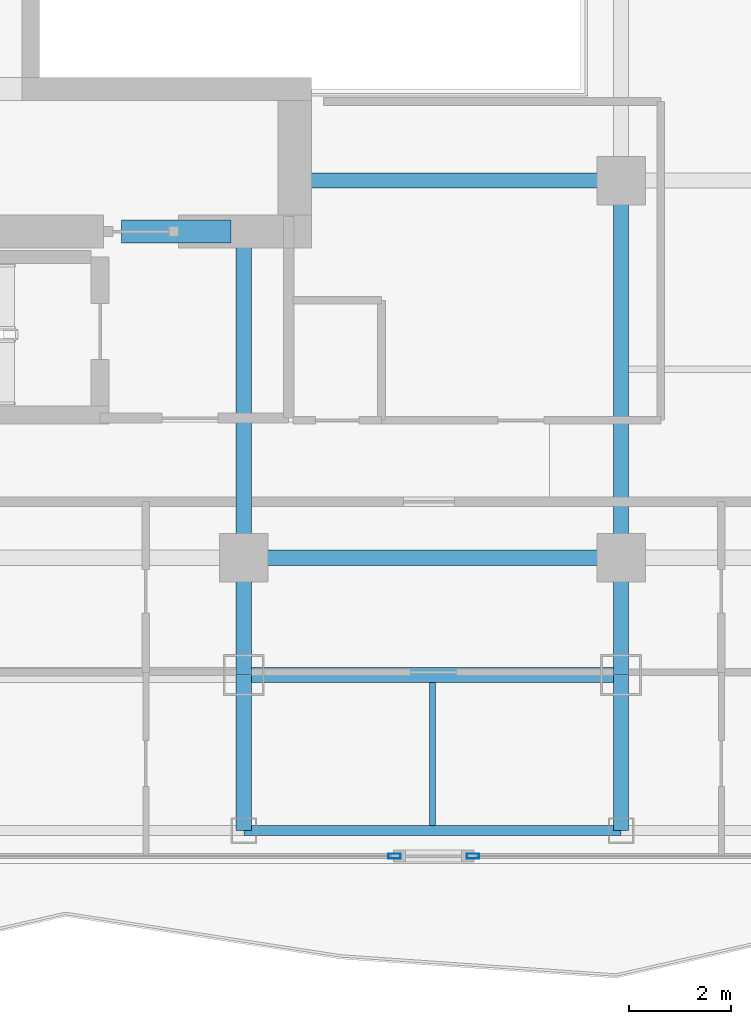
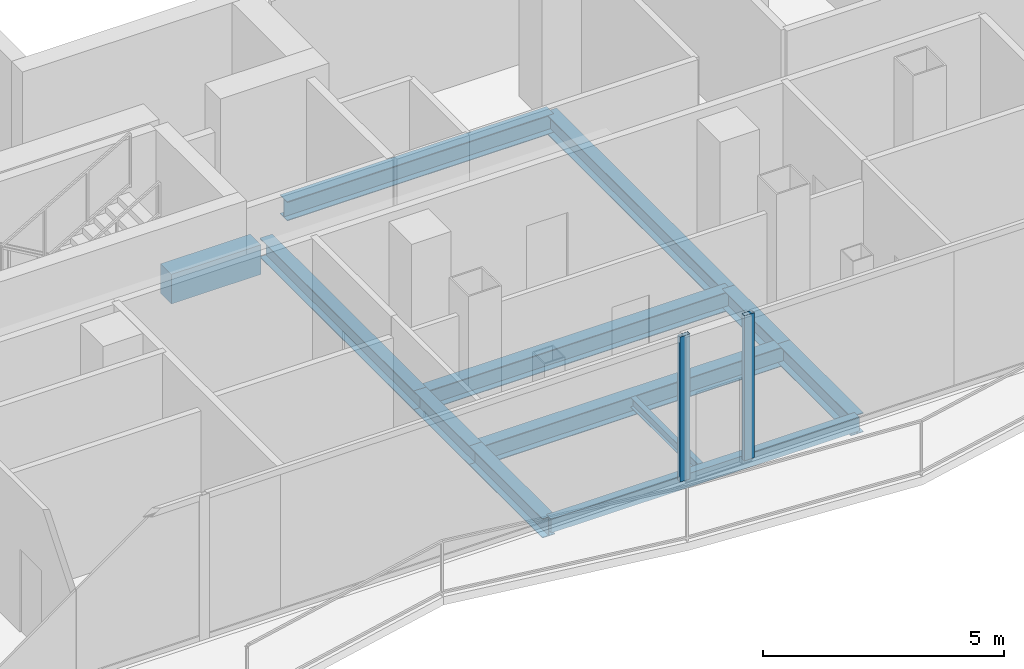
# One storey, part 4 of 22: 12 beams, 2 members, 2 elements without a shape of their own.
"""IFC4 building model written with IfcOpenShell, lengths in metres."""

from ifc_helpers import new_model, si_unit, direction, frame, origin, origin_2d, place, context, subcontext, project, spatial, rectangle, hollow_rectangle, i_section, extrude, material, layer, layer_set, material_profile, profile_set, type_object, element, aggregate, save


model = new_model("IFC4")

# Units and contexts
model_context = context("Model", 3, precision=1e-05, world=origin(), true_north=direction((0.0, 1.0)))
body_context = subcontext(model_context, "Body", "Model", "MODEL_VIEW")
ifc_project = project(units=[si_unit("LENGTHUNIT", "METRE"), si_unit("AREAUNIT", "SQUARE_METRE"), si_unit("VOLUMEUNIT", "CUBIC_METRE"), si_unit("PLANEANGLEUNIT", "RADIAN"), si_unit("MASSUNIT", "GRAM", prefix="KILO")], contexts=[model_context])

# Site, building, storey
site_placement = place(None, origin())
site = spatial("IfcSite", under=ifc_project, at=site_placement, CompositionType="ELEMENT")
building_placement = place(site_placement, origin())
building = spatial("IfcBuilding", under=site, at=building_placement, Name="Khorvyn Point Tower", CompositionType="ELEMENT")
storey_placement = place(building_placement, frame((0.0, 0.0, 278.10009765625)))
storey = spatial("IfcBuildingStorey", under=building, at=storey_placement, Name="L68", CompositionType="ELEMENT", Elevation=278.10009765625)

# Curtain wall, member
ifc_material_1 = material(Name="Anodised aluminium 6063-T6 and laminated Low-E glass", Category="aluminium")
ifc_layer = layer(ifc_material_1, 0.18994140625)
ifc_layer_set = layer_set([ifc_layer], Name="Stick-Built High-Wind Curtain Wall CW-SYS-04")
curtain_wall_type = type_object("IfcCurtainWallType", Name="Stick-Built High-Wind Curtain Wall CW-SYS-04", PredefinedType="NOTDEFINED", material=ifc_layer_set)
curtain_wall_1_placement = place(storey_placement, origin())
curtain_wall_1 = element("IfcCurtainWall", 1, at=curtain_wall_1_placement, inside=storey, type_object=curtain_wall_type, Name="Curtain Wall", PredefinedType="NOTDEFINED")
ifc_material_2 = material(Name="Anodised aluminium 6063-T6", Category="aluminium")
ifc_material_profile_1 = material_profile(ifc_material_2, hollow_rectangle(XDim=0.10009765625, YDim=0.239990234375, WallThickness=0.0048828125, at=origin_2d()))
ifc_profile_set_1 = profile_set([ifc_material_profile_1], Name="Anodised aluminium 6063-T6 ALU-MUL-100x240")
member_type = type_object("IfcMemberType", Name="Anodised Aluminium 6063-T6 Mullion ALU-MUL-100x240", PredefinedType="MULLION", material=ifc_profile_set_1)
member_1_placement = place(storey_placement, frame((11.89404296875, -20.64990234375, 0.0), z_axis=(0.0, 0.0, 1.0), x_axis=(0.0, -1.0, 0.0)))
member_1 = element("IfcMember", 2, at=member_1_placement, type_object=member_type, Name="Transom", PredefinedType="MULLION", context=body_context, shape_type="SweptSolid", body=[
    extrude(hollow_rectangle(XDim=0.10009765625, YDim=0.239990234375, WallThickness=0.0048828125, at=origin_2d()), origin(), (0.0, 0.0, 1.0), 3.679931640625),
])
aggregate(curtain_wall_1, [member_1])

curtain_wall_2_placement = place(storey_placement, origin())
curtain_wall_2 = element("IfcCurtainWall", 3, at=curtain_wall_2_placement, inside=storey, type_object=curtain_wall_type, Name="Curtain Wall", PredefinedType="NOTDEFINED")
member_2_placement = place(storey_placement, frame((10.35400390625, -20.64990234375, 0.0), z_axis=(0.0, 0.0, 1.0), x_axis=(0.0, -1.0, 0.0)))
member_2 = element("IfcMember", 4, at=member_2_placement, type_object=member_type, Name="Transom", PredefinedType="MULLION", context=body_context, shape_type="SweptSolid", body=[
    extrude(hollow_rectangle(XDim=0.10009765625, YDim=0.239990234375, WallThickness=0.0048828125, at=origin_2d()), origin(), (0.0, 0.0, 1.0), 3.679931640625),
])
aggregate(curtain_wall_2, [member_2])

# Beams
ifc_material_3 = material(Name="Concrete C40/50", Category="concrete")
ifc_material_profile_2 = material_profile(ifc_material_3, rectangle(XDim=0.449951171875, YDim=0.75, at=origin_2d()))
ifc_profile_set_2 = profile_set([ifc_material_profile_2], Name="Concrete C40/50 RC450x750")
beam_type_1 = type_object("IfcBeamType", Name="Concrete C40/50 Beam RC450x750", PredefinedType="BEAM", material=ifc_profile_set_2)
beam_1_placement = place(storey_placement, frame((5.0, -8.39990234375, -0.59521484375), z_axis=(1.0, 0.0, 0.0), x_axis=(0.0, 1.0, 0.0)))
element("IfcBeam", 5, at=beam_1_placement, inside=storey, type_object=beam_type_1, Name="L68 Core Southeast Portal Coupling Beam", PredefinedType="BEAM", context=body_context, shape_type="SweptSolid", body=[
    extrude(rectangle(XDim=0.449951171875, YDim=0.75, at=origin_2d()), origin(), (0.0, 0.0, 1.0), 2.14990234375),
])
ifc_material_4 = material(Name="Steel S355", Category="steel")
ifc_material_profile_3 = material_profile(ifc_material_4, i_section(OverallWidth=0.125, OverallDepth=0.25, WebThickness=0.006103515625, FlangeThickness=0.009033203125, at=origin_2d()))
ifc_profile_set_3 = profile_set([ifc_material_profile_3], Name="Steel S355 H250x125x6x9")
beam_type_2 = type_object("IfcBeamType", Name="Steel S355 Joist H250x125x6x9", PredefinedType="JOIST", material=ifc_profile_set_3)
beam_2_placement = place(storey_placement, frame((11.10009765625, -20.050048828125, -0.34521484375), z_axis=(0.0, 1.0, 0.0), x_axis=(-1.0, 0.0, 0.0)))
element("IfcBeam", 6, at=beam_2_placement, inside=storey, type_object=beam_type_2, Name="Beam", PredefinedType="JOIST", context=body_context, shape_type="SweptSolid", body=[
    extrude(i_section(OverallWidth=0.125, OverallDepth=0.25, WebThickness=0.006103515625, FlangeThickness=0.009033203125, at=origin_2d()), origin(), (0.0, 0.0, 1.0), 2.800048828125),
])
ifc_material_profile_4 = material_profile(ifc_material_4, i_section(OverallWidth=0.300048828125, OverallDepth=0.488037109375, WebThickness=0.010986328125, FlangeThickness=0.01806640625, at=origin_2d()))
ifc_profile_set_4 = profile_set([ifc_material_profile_4], Name="Steel S355 H488x300x11x18")
beam_type_3 = type_object("IfcBeamType", Name="Steel S355 Spandrel H488x300x11x18", PredefinedType="SPANDREL", material=ifc_profile_set_4)
beam_3_placement = place(storey_placement, frame((7.39990234375, -14.800048828125, -0.464111328125), z_axis=(1.0, 0.0, 0.0), x_axis=(0.0, 1.0, 0.0)))
element("IfcBeam", 7, at=beam_3_placement, inside=storey, type_object=beam_type_3, Name="Beam", PredefinedType="SPANDREL", context=body_context, shape_type="SweptSolid", body=[
    extrude(i_section(OverallWidth=0.300048828125, OverallDepth=0.488037109375, WebThickness=0.010986328125, FlangeThickness=0.01806640625, at=origin_2d()), origin(), (0.0, 0.0, 1.0), 7.400146484375),
])
beam_4_placement = place(storey_placement, frame((8.39990234375, -7.39990234375, -0.464111328125), z_axis=(1.0, 0.0, 0.0), x_axis=(0.0, 1.0, 0.0)))
element("IfcBeam", 8, at=beam_4_placement, inside=storey, type_object=beam_type_3, Name="Beam", PredefinedType="SPANDREL", context=body_context, shape_type="SweptSolid", body=[
    extrude(i_section(OverallWidth=0.300048828125, OverallDepth=0.488037109375, WebThickness=0.010986328125, FlangeThickness=0.01806640625, at=origin_2d()), origin(), (0.0, 0.0, 1.0), 6.400146484375),
])
beam_5_placement = place(storey_placement, frame((7.39990234375, -17.10009765625, -0.464111328125), z_axis=(1.0, 0.0, 0.0), x_axis=(0.0, 1.0, 0.0)))
element("IfcBeam", 9, at=beam_5_placement, inside=storey, type_object=beam_type_3, Name="Beam", PredefinedType="SPANDREL", context=body_context, shape_type="SweptSolid", body=[
    extrude(i_section(OverallWidth=0.300048828125, OverallDepth=0.488037109375, WebThickness=0.010986328125, FlangeThickness=0.01806640625, at=origin_2d()), origin(), (0.0, 0.0, 1.0), 7.400146484375),
])
beam_6_placement = place(storey_placement, frame((14.800048828125, -20.14990234375, -0.464111328125), z_axis=(0.0, 1.0, 0.0), x_axis=(-1.0, 0.0, 0.0)))
element("IfcBeam", 10, at=beam_6_placement, inside=storey, type_object=beam_type_3, Name="Beam", PredefinedType="SPANDREL", context=body_context, shape_type="SweptSolid", body=[
    extrude(i_section(OverallWidth=0.300048828125, OverallDepth=0.488037109375, WebThickness=0.010986328125, FlangeThickness=0.01806640625, at=origin_2d()), origin(), (0.0, 0.0, 1.0), 3.0498046875),
])
beam_7_placement = place(storey_placement, frame((14.800048828125, -17.10009765625, -0.464111328125), z_axis=(0.0, 1.0, 0.0), x_axis=(-1.0, 0.0, 0.0)))
element("IfcBeam", 11, at=beam_7_placement, inside=storey, type_object=beam_type_3, Name="Beam", PredefinedType="SPANDREL", context=body_context, shape_type="SweptSolid", body=[
    extrude(i_section(OverallWidth=0.300048828125, OverallDepth=0.488037109375, WebThickness=0.010986328125, FlangeThickness=0.01806640625, at=origin_2d()), origin(), (0.0, 0.0, 1.0), 2.300048828125),
])
beam_8_placement = place(storey_placement, frame((14.800048828125, -14.800048828125, -0.464111328125), z_axis=(0.0, 1.0, 0.0), x_axis=(-1.0, 0.0, 0.0)))
element("IfcBeam", 12, at=beam_8_placement, inside=storey, type_object=beam_type_3, Name="Beam", PredefinedType="SPANDREL", context=body_context, shape_type="SweptSolid", body=[
    extrude(i_section(OverallWidth=0.300048828125, OverallDepth=0.488037109375, WebThickness=0.010986328125, FlangeThickness=0.01806640625, at=origin_2d()), origin(), (0.0, 0.0, 1.0), 7.400146484375),
])
beam_9_placement = place(storey_placement, frame((7.39990234375, -20.14990234375, -0.464111328125), z_axis=(0.0, 1.0, 0.0), x_axis=(-1.0, 0.0, 0.0)))
element("IfcBeam", 13, at=beam_9_placement, inside=storey, type_object=beam_type_3, Name="Beam", PredefinedType="SPANDREL", context=body_context, shape_type="SweptSolid", body=[
    extrude(i_section(OverallWidth=0.300048828125, OverallDepth=0.488037109375, WebThickness=0.010986328125, FlangeThickness=0.01806640625, at=origin_2d()), origin(), (0.0, 0.0, 1.0), 3.0498046875),
])
beam_10_placement = place(storey_placement, frame((7.39990234375, -17.10009765625, -0.464111328125), z_axis=(0.0, 1.0, 0.0), x_axis=(-1.0, 0.0, 0.0)))
element("IfcBeam", 14, at=beam_10_placement, inside=storey, type_object=beam_type_3, Name="Beam", PredefinedType="SPANDREL", context=body_context, shape_type="SweptSolid", body=[
    extrude(i_section(OverallWidth=0.300048828125, OverallDepth=0.488037109375, WebThickness=0.010986328125, FlangeThickness=0.01806640625, at=origin_2d()), origin(), (0.0, 0.0, 1.0), 2.300048828125),
])
beam_11_placement = place(storey_placement, frame((7.39990234375, -14.800048828125, -0.464111328125), z_axis=(0.0, 1.0, 0.0), x_axis=(-1.0, 0.0, 0.0)))
element("IfcBeam", 15, at=beam_11_placement, inside=storey, type_object=beam_type_3, Name="Beam", PredefinedType="SPANDREL", context=body_context, shape_type="SweptSolid", body=[
    extrude(i_section(OverallWidth=0.300048828125, OverallDepth=0.488037109375, WebThickness=0.010986328125, FlangeThickness=0.01806640625, at=origin_2d()), origin(), (0.0, 0.0, 1.0), 6.400146484375),
])
ifc_material_profile_5 = material_profile(ifc_material_4, hollow_rectangle(XDim=0.199951171875, YDim=0.35009765625, WallThickness=0.013916015625, at=origin_2d()))
ifc_profile_set_5 = profile_set([ifc_material_profile_5], Name="Steel S355 RHS350x200x14")
beam_type_4 = type_object("IfcBeamType", Name="Steel S355 Spandrel RHS350x200x14", PredefinedType="SPANDREL", material=ifc_profile_set_5)
beam_12_placement = place(storey_placement, frame((7.39990234375, -20.14990234375, -0.39501953125), z_axis=(1.0, 0.0, 0.0), x_axis=(0.0, 1.0, 0.0)))
element("IfcBeam", 16, at=beam_12_placement, inside=storey, type_object=beam_type_4, Name="Beam", PredefinedType="SPANDREL", context=body_context, shape_type="SweptSolid", body=[
    extrude(hollow_rectangle(XDim=0.199951171875, YDim=0.35009765625, WallThickness=0.013916015625, at=origin_2d()), origin(), (0.0, 0.0, 1.0), 7.400146484375),
])

save(model, "model.ifc")
